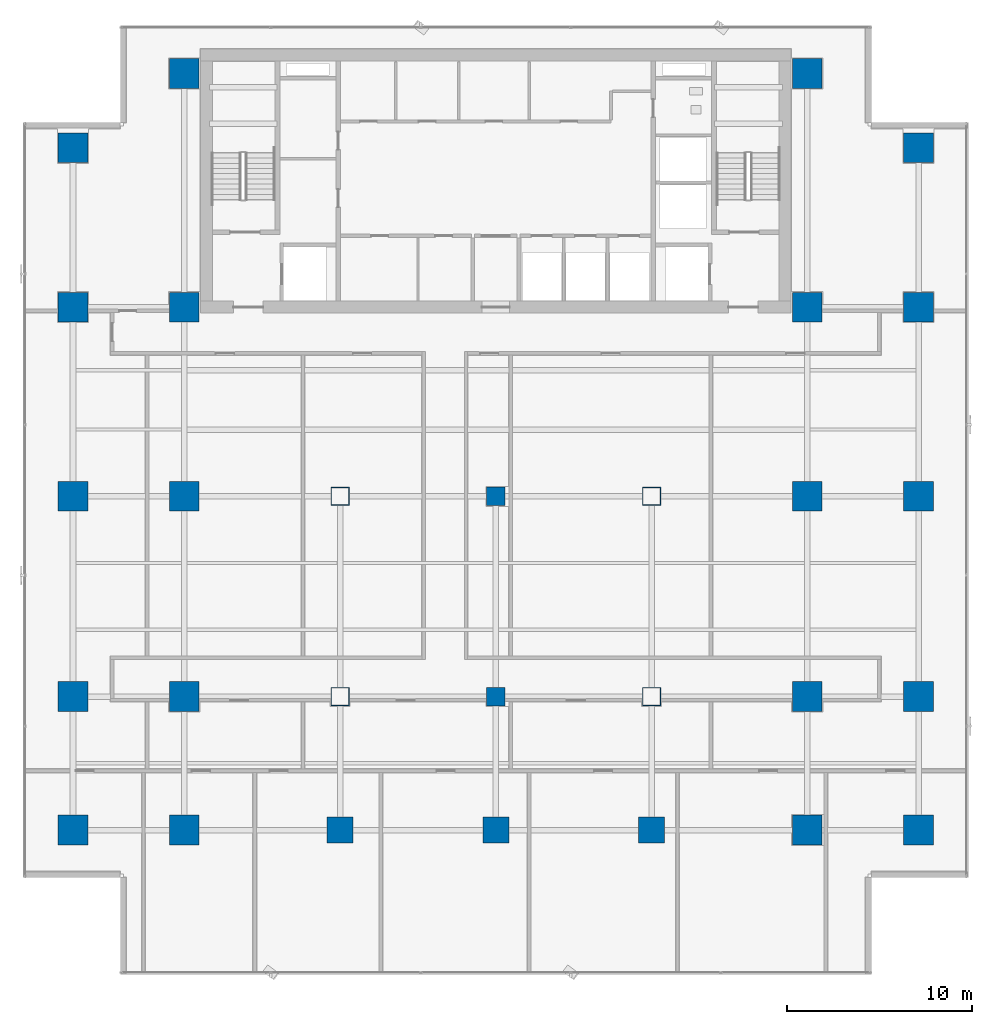
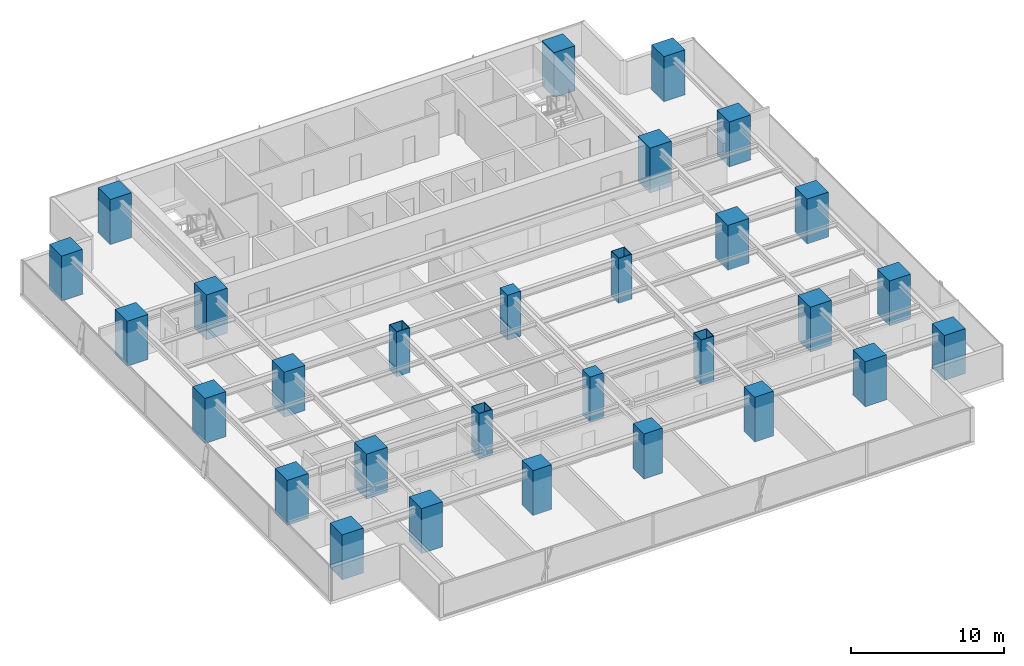
# One storey, part 1 of 36: 29 columns.
"""IFC4 building model written with IfcOpenShell, lengths in metres."""

from ifc_helpers import new_model, si_unit, direction, frame, origin, origin_2d, place, context, subcontext, project, spatial, rectangle, hollow_rectangle, extrude, source, transform, mapped, material, material_profile, profile_set, type_object, element, save


model = new_model("IFC4")

# Units and contexts
model_context = context("Model", 3, precision=1e-05, world=origin(), true_north=direction((0.0, 1.0)))
body_context = subcontext(model_context, "Body", "Model", "MODEL_VIEW")
ifc_project = project(units=[si_unit("LENGTHUNIT", "METRE"), si_unit("AREAUNIT", "SQUARE_METRE"), si_unit("VOLUMEUNIT", "CUBIC_METRE"), si_unit("PLANEANGLEUNIT", "RADIAN"), si_unit("MASSUNIT", "GRAM", prefix="KILO")], contexts=[model_context])

# Site, building, storey
site_placement = place(None, origin())
site = spatial("IfcSite", under=ifc_project, at=site_placement, CompositionType="ELEMENT")
building_placement = place(site_placement, origin())
building = spatial("IfcBuilding", under=site, at=building_placement, Name="Sumidabori Civic Tower", CompositionType="ELEMENT")
storey_placement = place(building_placement, frame((0.0, 0.0, 120.800048828125)))
storey = spatial("IfcBuildingStorey", under=building, at=storey_placement, Name="L31", CompositionType="ELEMENT", Elevation=120.800048828125)

# Columns
ifc_material_1 = material(Name="Concrete C60/75", Category="concrete")
ifc_material_profile_1 = material_profile(ifc_material_1, rectangle(XDim=1.60009765625, YDim=1.60009765625, at=origin_2d()), Name="RC 1600x1600")
ifc_profile_set_1 = profile_set([ifc_material_profile_1], Name="Concrete C60/75")
column_type_1 = type_object("IfcColumnType", Name="CL-MEGA-1600", PredefinedType="COLUMN", material=ifc_profile_set_1)
shared_shape_1 = source(origin(), body_context, "Body", "SweptSolid", [
    extrude(rectangle(XDim=1.60009765625, YDim=1.60009765625, at=origin_2d()), origin(), (0.0, 0.0, 1.0), 3.599853515625),
])
for number, where, z_axis, x_axis, name in (
    (1, (-16.800048828125, -18.0, 0.0), (0.0, 0.0, 1.0), (1.0, 0.0, 0.0), "Column MC-W16-Y18S L31"),
    (2, (-16.800048828125, -10.800048828125, 0.0), (0.0, 0.0, 1.0), (1.0, 0.0, 0.0), "Column MC-W16-Y11S L31"),
    (3, (-16.800048828125, 0.0, 0.0), (0.0, 0.0, 1.0), (1.0, 0.0, 0.0), "Column MC-W16-Y00 L31"),
    (4, (-16.800048828125, 10.199951171875, 0.0), (0.0, 0.0, 1.0), (1.0, 0.0, 0.0), "Column MC-W16-Y10N L31"),
    (5, (-16.800048828125, 22.800048828125, 0.0), (0.0, 0.0, 1.0), (1.0, 0.0, 0.0), "Column MC-W16-Y23N L31"),
    (6, (16.800048828125, -18.0, 0.0), (0.0, 0.0, 1.0), (1.0, 0.0, 0.0), "Column MC-E16-Y18S L31"),
    (7, (16.800048828125, -10.800048828125, 0.0), (0.0, 0.0, 1.0), (1.0, 0.0, 0.0), "Column MC-E16-Y11S L31"),
    (8, (16.800048828125, 0.0, 0.0), (0.0, 0.0, 1.0), (1.0, 0.0, 0.0), "Column MC-E16-Y00 L31"),
    (9, (16.800048828125, 10.199951171875, 0.0), (0.0, 0.0, 1.0), (1.0, 0.0, 0.0), "Column MC-E16-Y10N L31"),
    (10, (16.800048828125, 22.800048828125, 0.0), (0.0, 0.0, 1.0), (1.0, 0.0, 0.0), "Column MC-E16-Y23N L31"),
    (11, (-22.800048828125, -18.0, 0.0), (0.0, 0.0, 1.0), (1.0, 0.0, 0.0), "Column MC-W23-Y18S L31"),
    (12, (-22.800048828125, -10.800048828125, 0.0), (0.0, 0.0, 1.0), (1.0, 0.0, 0.0), "Column MC-W23-Y11S L31"),
    (13, (-22.800048828125, 0.0, 0.0), (0.0, 0.0, 1.0), (1.0, 0.0, 0.0), "Column MC-W23-Y00 L31"),
    (14, (-22.800048828125, 10.199951171875, 0.0), (0.0, 0.0, 1.0), (1.0, 0.0, 0.0), "Column MC-W23-Y10N L31"),
    (15, (-22.800048828125, 18.800048828125, 0.0), (0.0, 0.0, 1.0), (1.0, 0.0, 0.0), "Column MC-W23-Y19N L31"),
    (16, (22.800048828125, -18.0, 0.0), (0.0, 0.0, 1.0), (1.0, 0.0, 0.0), "Column MC-E23-Y18S L31"),
    (17, (22.800048828125, -10.800048828125, 0.0), (0.0, 0.0, 1.0), (1.0, 0.0, 0.0), "Column MC-E23-Y11S L31"),
    (18, (22.800048828125, 0.0, 0.0), (0.0, 0.0, 1.0), (1.0, 0.0, 0.0), "Column MC-E23-Y00 L31"),
    (19, (22.800048828125, 10.199951171875, 0.0), (0.0, 0.0, 1.0), (1.0, 0.0, 0.0), "Column MC-E23-Y10N L31"),
    (20, (22.800048828125, 18.800048828125, 0.0), (0.0, 0.0, 1.0), (1.0, 0.0, 0.0), "Column MC-E23-Y19N L31"),
):
    element("IfcColumn", number, at=place(storey_placement, frame(where, z_axis=z_axis, x_axis=x_axis)), inside=storey, type_object=column_type_1, Name=name, PredefinedType="COLUMN", context=body_context, shape_type="MappedRepresentation", body=[
        mapped(shared_shape_1, transform((0.0, 0.0, 0.0), x_axis=(1.0, 0.0, 0.0), y_axis=(0.0, 1.0, 0.0), z_axis=(0.0, 0.0, 1.0), scale=1.0)),
    ])
ifc_material_2 = material(Name="Steel SM570", Category="steel")
ifc_material_profile_2 = material_profile(ifc_material_2, hollow_rectangle(XDim=1.0, YDim=1.0, WallThickness=0.044921875, at=origin_2d()), Name="SHS 1000x1000x45")
ifc_profile_set_2 = profile_set([ifc_material_profile_2], Name="Steel SM570")
column_type_2 = type_object("IfcColumnType", Name="CL-PORTAL-SHS1000", PredefinedType="COLUMN", material=ifc_profile_set_2)
shared_shape_2 = source(origin(), body_context, "Body", "SweptSolid", [
    extrude(hollow_rectangle(XDim=1.0, YDim=1.0, WallThickness=0.044921875, at=origin_2d()), origin(), (0.0, 0.0, 1.0), 3.599853515625),
])
for number, where, z_axis, x_axis, name in (
    (21, (-8.39990234375, 0.0, 0.0), (0.0, 0.0, 1.0), (1.0, 0.0, 0.0), "Column MC-W08-Y00 L31"),
    (22, (-8.39990234375, -10.800048828125, 0.0), (0.0, 0.0, 1.0), (1.0, 0.0, 0.0), "Column MC-W08-Y11S L31"),
    (23, (8.39990234375, 0.0, 0.0), (0.0, 0.0, 1.0), (1.0, 0.0, 0.0), "Column MC-E08-Y00 L31"),
    (24, (8.39990234375, -10.800048828125, 0.0), (0.0, 0.0, 1.0), (1.0, 0.0, 0.0), "Column MC-E08-Y11S L31"),
):
    element("IfcColumn", number, at=place(storey_placement, frame(where, z_axis=z_axis, x_axis=x_axis)), inside=storey, type_object=column_type_2, Name=name, PredefinedType="COLUMN", context=body_context, shape_type="MappedRepresentation", body=[
        mapped(shared_shape_2, transform((0.0, 0.0, 0.0), x_axis=(1.0, 0.0, 0.0), y_axis=(0.0, 1.0, 0.0), z_axis=(0.0, 0.0, 1.0), scale=1.0)),
    ])
ifc_material_profile_3 = material_profile(ifc_material_1, rectangle(XDim=1.39990234375, YDim=1.39990234375, at=origin_2d()), Name="RC 1400x1400")
ifc_profile_set_3 = profile_set([ifc_material_profile_3], Name="Concrete C60/75")
column_type_3 = type_object("IfcColumnType", Name="CL-MEGA-1400", PredefinedType="COLUMN", material=ifc_profile_set_3)
shared_shape_3 = source(origin(), body_context, "Body", "SweptSolid", [
    extrude(rectangle(XDim=1.39990234375, YDim=1.39990234375, at=origin_2d()), origin(), (0.0, 0.0, 1.0), 3.599853515625),
])
for number, where, z_axis, x_axis, name in (
    (25, (-8.39990234375, -18.0, 0.0), (0.0, 0.0, 1.0), (1.0, 0.0, 0.0), "Column MC-W08-Y18S L31"),
    (26, (8.39990234375, -18.0, 0.0), (0.0, 0.0, 1.0), (1.0, 0.0, 0.0), "Column MC-E08-Y18S L31"),
    (27, (0.0, -18.0, 0.0), (0.0, 0.0, 1.0), (1.0, 0.0, 0.0), "Column MC-C00-Y18S L31"),
):
    element("IfcColumn", number, at=place(storey_placement, frame(where, z_axis=z_axis, x_axis=x_axis)), inside=storey, type_object=column_type_3, Name=name, PredefinedType="COLUMN", context=body_context, shape_type="MappedRepresentation", body=[
        mapped(shared_shape_3, transform((0.0, 0.0, 0.0), x_axis=(1.0, 0.0, 0.0), y_axis=(0.0, 1.0, 0.0), z_axis=(0.0, 0.0, 1.0), scale=1.0)),
    ])
ifc_material_3 = material(Name="Concrete C50/60", Category="concrete")
ifc_material_profile_4 = material_profile(ifc_material_3, rectangle(XDim=1.0, YDim=1.0, at=origin_2d()), Name="RC 1000x1000")
ifc_profile_set_4 = profile_set([ifc_material_profile_4], Name="Concrete C50/60")
column_type_4 = type_object("IfcColumnType", Name="CL-INT-1000", PredefinedType="COLUMN", material=ifc_profile_set_4)
shared_shape_4 = source(origin(), body_context, "Body", "SweptSolid", [
    extrude(rectangle(XDim=1.0, YDim=1.0, at=origin_2d()), origin(), (0.0, 0.0, 1.0), 3.599853515625),
])
for number, where, z_axis, x_axis, name in (
    (28, (0.0, -10.800048828125, 0.0), (0.0, 0.0, 1.0), (1.0, 0.0, 0.0), "Column MC-C00-Y11S L31"),
    (29, (0.0, 0.0, 0.0), (0.0, 0.0, 1.0), (1.0, 0.0, 0.0), "Column MC-C00-Y00 L31"),
):
    element("IfcColumn", number, at=place(storey_placement, frame(where, z_axis=z_axis, x_axis=x_axis)), inside=storey, type_object=column_type_4, Name=name, PredefinedType="COLUMN", context=body_context, shape_type="MappedRepresentation", body=[
        mapped(shared_shape_4, transform((0.0, 0.0, 0.0), x_axis=(1.0, 0.0, 0.0), y_axis=(0.0, 1.0, 0.0), z_axis=(0.0, 0.0, 1.0), scale=1.0)),
    ])

save(model, "model.ifc")
